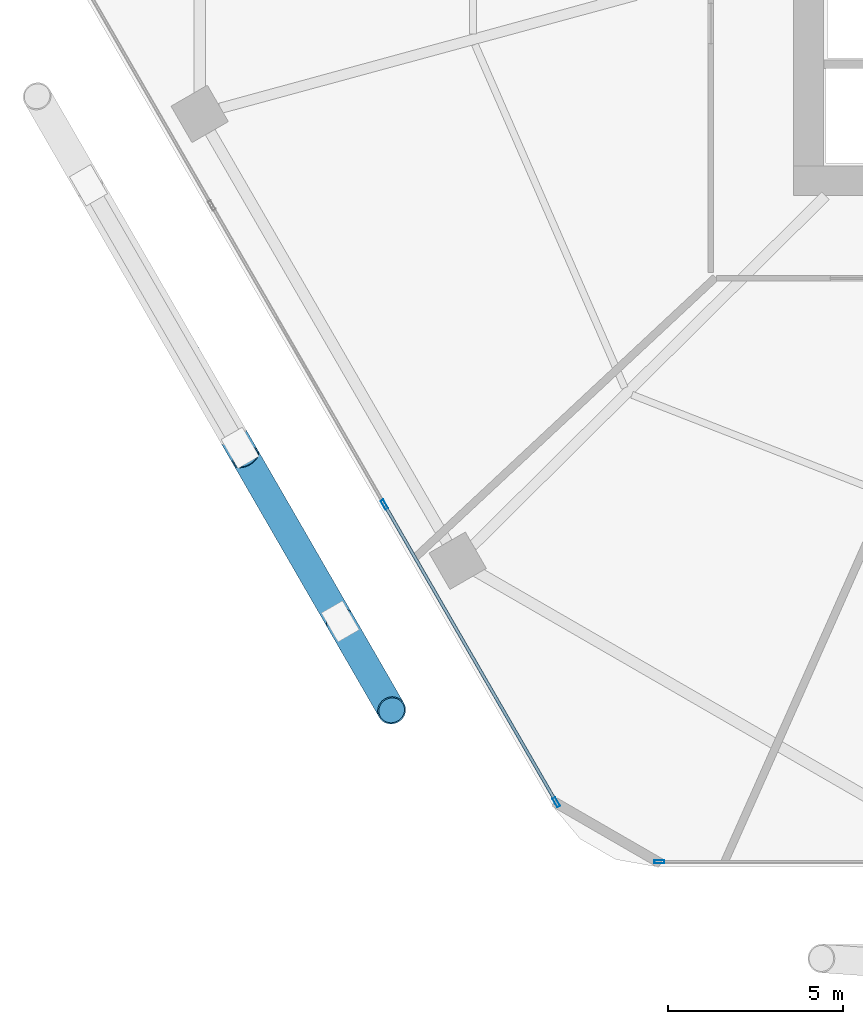
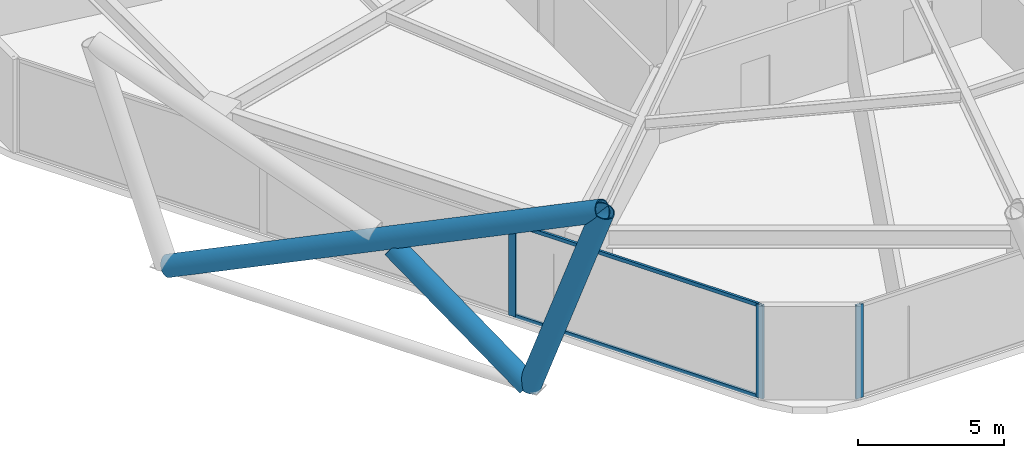
# One storey, part 2 of 28: 8 members, 2 elements without a shape of their own.
"""IFC4 building model written with IfcOpenShell, lengths in metres."""

from ifc_helpers import new_model, si_unit, direction, frame, origin, origin_2d, place, context, subcontext, project, spatial, hollow_rectangle, hollow_circle, extrude, material, material_profile, profile_set, type_object, element, aggregate, save


model = new_model("IFC4")

# Units and contexts
model_context = context("Model", 3, precision=1e-05, world=origin(), true_north=direction((0.0, 1.0)))
body_context = subcontext(model_context, "Body", "Model", "MODEL_VIEW")
ifc_project = project(units=[si_unit("LENGTHUNIT", "METRE"), si_unit("AREAUNIT", "SQUARE_METRE"), si_unit("VOLUMEUNIT", "CUBIC_METRE"), si_unit("PLANEANGLEUNIT", "RADIAN"), si_unit("MASSUNIT", "GRAM", prefix="KILO")], contexts=[model_context])

# Site, building, storey
site_placement = place(None, origin())
site = spatial("IfcSite", under=ifc_project, at=site_placement, CompositionType="ELEMENT")
building_placement = place(site_placement, origin())
building = spatial("IfcBuilding", under=site, at=building_placement, Name="Zuhravey Tower", CompositionType="ELEMENT")
storey_placement = place(building_placement, frame((0.0, 0.0, 66.60009765625)))
storey = spatial("IfcBuildingStorey", under=building, at=storey_placement, Name="L16", CompositionType="ELEMENT", Elevation=66.60009765625)

# Curtain wall, member
ifc_material_1 = material(Name="Thermally broken anodised aluminium", Category="aluminium")
curtain_wall_type = type_object("IfcCurtainWallType", Name="School Low-E Unitised Curtain Wall CW1", PredefinedType="NOTDEFINED", material=ifc_material_1)
curtain_wall_1_placement = place(storey_placement, origin())
curtain_wall_1 = element("IfcCurtainWall", 1, at=curtain_wall_1_placement, inside=storey, type_object=curtain_wall_type, Name="L16 CW1 CW-L16-F5-1", PredefinedType="NOTDEFINED")
ifc_material_2 = material(Name="Anodised aluminium", Category="aluminium")
ifc_material_profile_1 = material_profile(ifc_material_2, hollow_rectangle(XDim=0.090087890625, YDim=0.284912109375, WallThickness=0.0048828125, at=origin_2d()), Name="ALU-RHS-90x285x5")
ifc_profile_set_1 = profile_set([ifc_material_profile_1], Name="Anodised aluminium")
member_type_1 = type_object("IfcMemberType", Name="Curtain-Wall Mullion 90x180", PredefinedType="MULLION", material=ifc_profile_set_1)
member_1_placement = place(storey_placement, frame((21.24560546875, 3.04150390625, 0.0), z_axis=(0.0, 0.0, 1.0), x_axis=(0.0, -1.0, 0.0)))
member_1 = element("IfcMember", 2, at=member_1_placement, type_object=member_type_1, Name="CW1 mullion 4", PredefinedType="MULLION", context=body_context, shape_type="SweptSolid", body=[
    extrude(hollow_rectangle(XDim=0.090087890625, YDim=0.284912109375, WallThickness=0.0048828125, at=origin_2d()), origin(), (0.0, 0.0, 1.0), 3.919921875),
])
aggregate(curtain_wall_1, [member_1])

# Curtain wall, members
curtain_wall_2_placement = place(storey_placement, origin())
curtain_wall_2 = element("IfcCurtainWall", 3, at=curtain_wall_2_placement, inside=storey, type_object=curtain_wall_type, Name="L16 CW1 CW-L16-F4-1", PredefinedType="NOTDEFINED")
member_2_placement = place(storey_placement, frame((18.298583984375, 4.742919921875, 0.0), z_axis=(0.0, 0.0, 1.0), x_axis=(-0.86602552265, -0.499999794119, 0.0)))
member_2 = element("IfcMember", 4, at=member_2_placement, type_object=member_type_1, Name="CW1 mullion 1", PredefinedType="MULLION", context=body_context, shape_type="SweptSolid", body=[
    extrude(hollow_rectangle(XDim=0.090087890625, YDim=0.284912109375, WallThickness=0.0048828125, at=origin_2d()), origin(), (0.0, 0.0, 1.0), 3.919921875),
])
member_3_placement = place(storey_placement, frame((13.387939453125, 13.24853515625, 0.0), z_axis=(0.0, 0.0, 1.0), x_axis=(-0.86602552265, -0.499999794119, 0.0)))
member_3 = element("IfcMember", 5, at=member_3_placement, type_object=member_type_1, Name="CW1 mullion 2", PredefinedType="MULLION", context=body_context, shape_type="SweptSolid", body=[
    extrude(hollow_rectangle(XDim=0.090087890625, YDim=0.284912109375, WallThickness=0.0048828125, at=origin_2d()), origin(), (0.0, 0.0, 1.0), 3.919921875),
])
ifc_material_profile_2 = material_profile(ifc_material_2, hollow_rectangle(XDim=0.090087890625, YDim=0.14990234375, WallThickness=0.0048828125, at=origin_2d()), Name="ALU-RHS-90x150x5")
ifc_profile_set_2 = profile_set([ifc_material_profile_2], Name="Anodised aluminium")
member_type_2 = type_object("IfcMemberType", Name="Curtain-Wall Transom 90x150", PredefinedType="USERDEFINED", material=ifc_profile_set_2)
member_4_placement = place(storey_placement, frame((18.27587890625, 4.781982421875, 0.044921875), z_axis=(-0.499989576763, 0.86603142156, 0.0), x_axis=(-0.86603142156, -0.499989576763, 0.0)))
member_4 = element("IfcMember", 6, at=member_4_placement, type_object=member_type_2, Name="CW1 transom 1.1", ObjectType="TRANSOM", PredefinedType="USERDEFINED", context=body_context, shape_type="SweptSolid", body=[
    extrude(hollow_rectangle(XDim=0.090087890625, YDim=0.14990234375, WallThickness=0.0048828125, at=origin_2d()), origin(), (0.0, 0.0, 1.0), 9.731201171875),
])
member_5_placement = place(storey_placement, frame((18.27587890625, 4.781982421875, 3.875), z_axis=(-0.499989576763, 0.86603142156, 0.0), x_axis=(-0.86603142156, -0.499989576763, 0.0)))
member_5 = element("IfcMember", 7, at=member_5_placement, type_object=member_type_2, Name="CW1 transom 1.2", ObjectType="TRANSOM", PredefinedType="USERDEFINED", context=body_context, shape_type="SweptSolid", body=[
    extrude(hollow_rectangle(XDim=0.090087890625, YDim=0.14990234375, WallThickness=0.0048828125, at=origin_2d()), origin(), (0.0, 0.0, 1.0), 9.731201171875),
])
aggregate(curtain_wall_2, [member_2, member_3, member_4, member_5])

# Members
ifc_material_3 = material(Name="Steel SM460", Category="steel")
ifc_material_profile_3 = material_profile(ifc_material_3, hollow_circle(Radius=0.406494140625, WallThickness=0.035888671875, at=origin_2d()), Name="CHS-812.8x36")
ifc_profile_set_3 = profile_set([ifc_material_profile_3], Name="Steel SM460")
member_type_3 = type_object("IfcMemberType", Name="Exoskeleton Zone 1 Diagrid CHS813x36", PredefinedType="BRACE", material=ifc_profile_set_3)
member_6_placement = place(storey_placement, frame((4.956787109375, 22.33154296875, -0.47216796875), z_axis=(0.449932637588, -0.779312332372, 0.436156978902), x_axis=(0.866027110715, 0.499997043497, 0.0)))
element("IfcMember", 8, at=member_6_placement, inside=storey, type_object=member_type_3, Name="L16 Face 4 Diagrid Brace 2", PredefinedType="BRACE", context=body_context, shape_type="SweptSolid", body=[
    extrude(hollow_circle(Radius=0.406494140625, WallThickness=0.035888671875, at=origin_2d()), origin(), (0.0, 0.0, 1.0), 19.158203125),
])
member_7_placement = place(storey_placement, frame((12.1318359375, 9.904052734375, -0.47216796875), z_axis=(0.165307317227, -0.286358046605, 0.943754501984), x_axis=(0.866053660865, 0.499951054106, 0.0)))
element("IfcMember", 9, at=member_7_placement, inside=storey, type_object=member_type_3, Name="L16 Face 4 Diagrid Brace 4", PredefinedType="BRACE", context=body_context, shape_type="SweptSolid", body=[
    extrude(hollow_circle(Radius=0.406494140625, WallThickness=0.035888671875, at=origin_2d()), origin(), (0.0, 0.0, 1.0), 8.85400390625),
])
member_8_placement = place(storey_placement, frame((12.107666015625, 9.94580078125, -0.46435546875), z_axis=(-0.403092056741, 0.69816190232, 0.59168129254), x_axis=(-0.866021056018, -0.500007530476, 0.0)))
element("IfcMember", 10, at=member_8_placement, inside=storey, type_object=member_type_3, Name="L16 Face 4 Split Diagrid Brace 3A", PredefinedType="BRACE", context=body_context, shape_type="SweptSolid", body=[
    extrude(hollow_circle(Radius=0.406494140625, WallThickness=0.035888671875, at=origin_2d()), origin(), (0.0, 0.0, 1.0), 6.6513671875),
])

save(model, "model.ifc")
